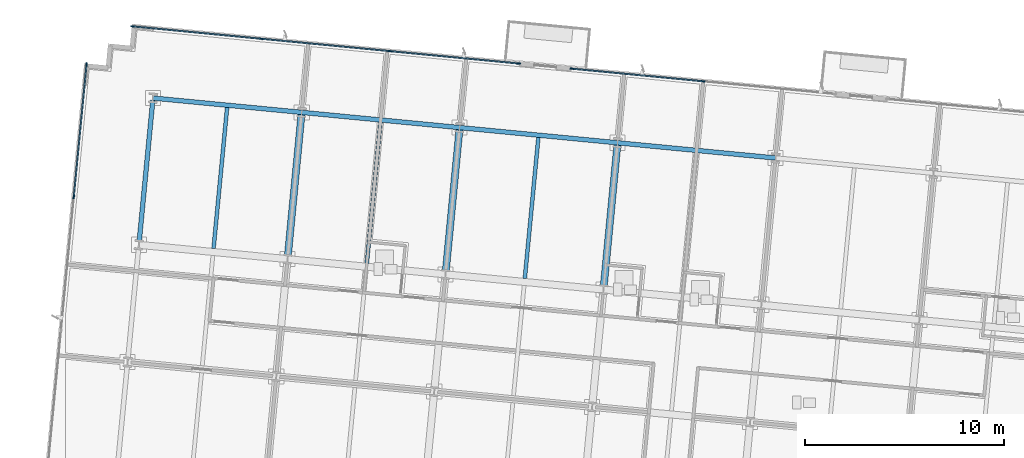
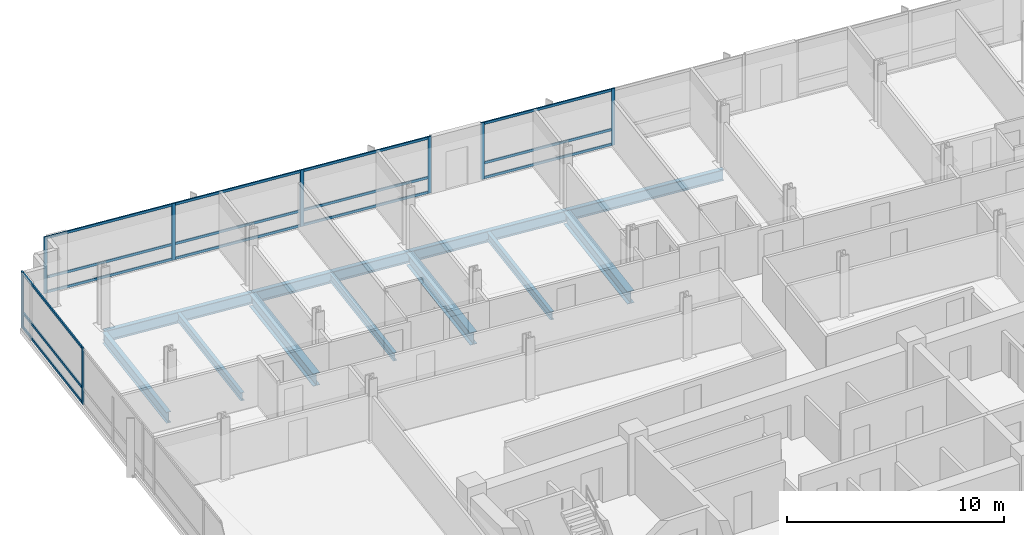
# One storey, part 7 of 17: 23 members, 11 beams, 3 elements without a shape of their own.
"""IFC4 building model written with IfcOpenShell, lengths in metres."""

from ifc_helpers import new_model, si_unit, direction, frame, origin, origin_2d, place, context, subcontext, project, spatial, rectangle, i_section, extrude, material, material_profile, profile_set, type_object, element, aggregate, save


model = new_model("IFC4")

# Units and contexts
model_context = context("Model", 3, precision=1e-05, world=origin(), true_north=direction((0.0, 1.0)))
body_context = subcontext(model_context, "Body", "Model", "MODEL_VIEW")
ifc_project = project(units=[si_unit("LENGTHUNIT", "METRE"), si_unit("AREAUNIT", "SQUARE_METRE"), si_unit("VOLUMEUNIT", "CUBIC_METRE"), si_unit("PLANEANGLEUNIT", "RADIAN"), si_unit("MASSUNIT", "GRAM", prefix="KILO")], contexts=[model_context])

# Site, building, storey
site_placement = place(None, origin())
site = spatial("IfcSite", under=ifc_project, at=site_placement, CompositionType="ELEMENT")
building_placement = place(site_placement, origin())
building = spatial("IfcBuilding", under=site, at=building_placement, Name="Solmavex Isthmus Hotel", CompositionType="ELEMENT")
storey_placement = place(building_placement, frame((0.0, 0.0, 170.39990234375)))
storey = spatial("IfcBuildingStorey", under=building, at=storey_placement, Name="L46", CompositionType="ELEMENT", Elevation=170.39990234375)

# Beams
ifc_material_1 = material(Name="Steel ASTM A992 Grade 50", Category="steel")
ifc_material_profile_1 = material_profile(ifc_material_1, i_section(OverallWidth=0.354736328125, OverallDepth=0.695556640625, WebThickness=0.015380859375, FlangeThickness=0.02490234375, FilletRadius=0.017822265625, at=origin_2d()), Name="W27X146")
ifc_profile_set_1 = profile_set([ifc_material_profile_1], Name="Steel ASTM A992 Grade 50")
beam_type_1 = type_object("IfcBeamType", Name="BM-BG-W27X146", PredefinedType="BEAM", material=ifc_profile_set_1)
beam_1_placement = place(storey_placement, frame((-15.254150390625, 13.07275390625, -0.607666015625), z_axis=(0.095839524498, 0.995396798038, 0.0), x_axis=(-0.995396798038, 0.095839524498, 0.0)))
element("IfcBeam", 1, at=beam_1_placement, inside=storey, type_object=beam_type_1, Name="Floor Beam L46-VG26", PredefinedType="BEAM", context=body_context, shape_type="SweptSolid", body=[
    extrude(i_section(OverallWidth=0.354736328125, OverallDepth=0.695556640625, WebThickness=0.015380859375, FlangeThickness=0.02490234375, FilletRadius=0.017822265625, at=origin_2d()), origin(), (0.0, 0.0, 1.0), 7.099609375),
])
beam_2_placement = place(storey_placement, frame((-7.3349609375, 12.310302734375, -0.607666015625), z_axis=(0.09587687835, 0.9953932008, 0.0), x_axis=(-0.9953932008, 0.09587687835, 0.0)))
element("IfcBeam", 2, at=beam_2_placement, inside=storey, type_object=beam_type_1, Name="Floor Beam L46-VG29", PredefinedType="BEAM", context=body_context, shape_type="SweptSolid", body=[
    extrude(i_section(OverallWidth=0.354736328125, OverallDepth=0.695556640625, WebThickness=0.015380859375, FlangeThickness=0.02490234375, FilletRadius=0.017822265625, at=origin_2d()), origin(), (0.0, 0.0, 1.0), 7.099365234375),
])
beam_3_placement = place(storey_placement, frame((0.58447265625, 11.547607421875, -0.607666015625), z_axis=(0.095839524498, 0.995396798038, 0.0), x_axis=(-0.995396798038, 0.095839524498, 0.0)))
element("IfcBeam", 3, at=beam_3_placement, inside=storey, type_object=beam_type_1, Name="Floor Beam L46-VG32", PredefinedType="BEAM", context=body_context, shape_type="SweptSolid", body=[
    extrude(i_section(OverallWidth=0.354736328125, OverallDepth=0.695556640625, WebThickness=0.015380859375, FlangeThickness=0.02490234375, FilletRadius=0.017822265625, at=origin_2d()), origin(), (0.0, 0.0, 1.0), 7.099609375),
])
ifc_material_profile_2 = material_profile(ifc_material_1, i_section(OverallWidth=0.1904296875, OverallDepth=0.456787109375, WebThickness=0.009033203125, FlangeThickness=0.014404296875, FilletRadius=0.0126953125, at=origin_2d()), Name="W18X50")
ifc_profile_set_2 = profile_set([ifc_material_profile_2], Name="Steel ASTM A992 Grade 50")
beam_type_2 = type_object("IfcBeamType", Name="BM-BJ-W18X50", PredefinedType="JOIST", material=ifc_profile_set_2)
for number, where, z_axis, x_axis, name in (
    (4, (-18.98095703125, 13.431640625, -0.48828125), (0.095842805175, 0.99539648216, 0.0), (-0.99539648216, 0.095842805175, 0.0), "Secondary Floor Joist L46-J03"),
    (5, (-11.29443359375, 12.691650390625, -0.48828125), (0.095842805175, 0.99539648216, 0.0), (-0.99539648216, 0.095842805175, 0.0), "Secondary Floor Joist L46-J06"),
    (6, (-3.375244140625, 11.928955078125, -0.48828125), (0.09587687835, 0.9953932008, 0.0), (-0.9953932008, 0.09587687835, 0.0), "Secondary Floor Joist L46-J09"),
):
    element("IfcBeam", number, at=place(storey_placement, frame(where, z_axis=z_axis, x_axis=x_axis)), inside=storey, type_object=beam_type_2, Name=name, PredefinedType="JOIST", context=body_context, shape_type="SweptSolid", body=[
        extrude(i_section(OverallWidth=0.1904296875, OverallDepth=0.456787109375, WebThickness=0.009033203125, FlangeThickness=0.014404296875, FilletRadius=0.0126953125, at=origin_2d()), origin(), (0.0, 0.0, 1.0), 7.099365234375),
    ])
ifc_material_profile_3 = material_profile(ifc_material_1, i_section(OverallWidth=0.230224609375, OverallDepth=0.617431640625, WebThickness=0.01318359375, FlangeThickness=0.022216796875, FilletRadius=0.01513671875, at=origin_2d()), Name="W24X94")
ifc_profile_set_3 = profile_set([ifc_material_profile_3], Name="Steel ASTM A992 Grade 50")
beam_type_3 = type_object("IfcBeamType", Name="BM-SP-W24X94", PredefinedType="SPANDREL", material=ifc_profile_set_3)
beam_4_placement = place(storey_placement, frame((-22.016357421875, 20.971923828125, -0.568603515625), z_axis=(0.995395279593, -0.095855293875, 0.0), x_axis=(0.095855293875, 0.995395279593, 0.0)))
element("IfcBeam", 7, at=beam_4_placement, inside=storey, type_object=beam_type_3, Name="Floor Girder L46-UG15", PredefinedType="SPANDREL", context=body_context, shape_type="SweptSolid", body=[
    extrude(i_section(OverallWidth=0.230224609375, OverallDepth=0.617431640625, WebThickness=0.01318359375, FlangeThickness=0.022216796875, FilletRadius=0.01513671875, at=origin_2d()), origin(), (0.0, 0.0, 1.0), 7.488037109375),
])
for number, where, z_axis, x_axis, name in (
    (8, (-14.562744140625, 20.254150390625, -0.568603515625), (0.995397440011, -0.095832856685, 0.0), (0.095832856685, 0.995397440011, 0.0), "Floor Girder L46-UG16"),
    (9, (-6.643310546875, 19.49169921875, -0.568603515625), (0.995394512348, -0.095863260885, 0.0), (0.095863260885, 0.995394512348, 0.0), "Floor Girder L46-UG17"),
):
    element("IfcBeam", number, at=place(storey_placement, frame(where, z_axis=z_axis, x_axis=x_axis)), inside=storey, type_object=beam_type_3, Name=name, PredefinedType="SPANDREL", context=body_context, shape_type="SweptSolid", body=[
        extrude(i_section(OverallWidth=0.230224609375, OverallDepth=0.617431640625, WebThickness=0.01318359375, FlangeThickness=0.022216796875, FilletRadius=0.01513671875, at=origin_2d()), origin(), (0.0, 0.0, 1.0), 7.9560546875),
    ])
beam_5_placement = place(storey_placement, frame((1.276123046875, 18.72900390625, -0.568603515625), z_axis=(0.995397158178, -0.095835783981, 0.0), x_axis=(0.095835783981, 0.995397158178, 0.0)))
element("IfcBeam", 10, at=beam_5_placement, inside=storey, type_object=beam_type_3, Name="Floor Girder L46-UG18", PredefinedType="SPANDREL", context=body_context, shape_type="SweptSolid", body=[
    extrude(i_section(OverallWidth=0.230224609375, OverallDepth=0.617431640625, WebThickness=0.01318359375, FlangeThickness=0.022216796875, FilletRadius=0.01513671875, at=origin_2d()), origin(), (0.0, 0.0, 1.0), 7.955810546875),
])
beam_6_placement = place(storey_placement, frame((-22.707763671875, 13.79052734375, -0.568603515625), z_axis=(0.095842805175, 0.99539648216, 0.0), x_axis=(-0.99539648216, 0.095842805175, 0.0)))
element("IfcBeam", 11, at=beam_6_placement, inside=storey, type_object=beam_type_3, Name="Floor Beam L46-VG23", PredefinedType="SPANDREL", context=body_context, shape_type="SweptSolid", body=[
    extrude(i_section(OverallWidth=0.230224609375, OverallDepth=0.617431640625, WebThickness=0.01318359375, FlangeThickness=0.022216796875, FilletRadius=0.01513671875, at=origin_2d()), origin(), (0.0, 0.0, 1.0), 7.099365234375),
])

# Curtain wall, members
ifc_material_2 = material(Name="Aluminium alloy 6063-T6", Category="aluminium")
curtain_wall_type = type_object("IfcCurtainWallType", Name="CW-SYS-03", PredefinedType="NOTDEFINED", material=ifc_material_2)
curtain_wall_1_placement = place(storey_placement, origin())
curtain_wall_1 = element("IfcCurtainWall", 12, at=curtain_wall_1_placement, inside=storey, type_object=curtain_wall_type, Name="Stick Curtain Wall CWL-L46-N1", PredefinedType="NOTDEFINED")
ifc_material_profile_4 = material_profile(ifc_material_2, rectangle(XDim=0.070068359375, YDim=0.179931640625, at=origin_2d()), Name="CWM-70X180")
ifc_profile_set_4 = profile_set([ifc_material_profile_4], Name="Aluminium alloy 6063-T6")
member_type_1 = type_object("IfcMemberType", Name="CW-SYS-03-MUL", PredefinedType="MULLION", material=ifc_profile_set_4)
member_1_placement = place(storey_placement, frame((-23.04150390625, 24.566650390625, 0.0), z_axis=(0.0, 0.0, 1.0), x_axis=(0.095845686434, 0.995396204731, 0.0)))
member_1 = element("IfcMember", 13, at=member_1_placement, type_object=member_type_1, Name="CW-03 mullion 1", PredefinedType="MULLION", context=body_context, shape_type="SweptSolid", body=[
    extrude(rectangle(XDim=0.070068359375, YDim=0.179931640625, at=origin_2d()), origin(), (0.0, 0.0, 1.0), 3.190185546875),
])
member_2_placement = place(storey_placement, frame((-16.598876953125, 23.9462890625, 0.0), z_axis=(0.0, 0.0, 1.0), x_axis=(0.095845686434, 0.995396204731, 0.0)))
member_2 = element("IfcMember", 14, at=member_2_placement, type_object=member_type_1, Name="CW-03 mullion 2", PredefinedType="MULLION", context=body_context, shape_type="SweptSolid", body=[
    extrude(rectangle(XDim=0.070068359375, YDim=0.179931640625, at=origin_2d()), origin(), (0.0, 0.0, 1.0), 3.190185546875),
])
member_3_placement = place(storey_placement, frame((-10.12158203125, 23.32275390625, 0.0), z_axis=(0.0, 0.0, 1.0), x_axis=(0.095845686434, 0.995396204731, 0.0)))
member_3 = element("IfcMember", 15, at=member_3_placement, type_object=member_type_1, Name="CW-03 mullion 3", PredefinedType="MULLION", context=body_context, shape_type="SweptSolid", body=[
    extrude(rectangle(XDim=0.070068359375, YDim=0.179931640625, at=origin_2d()), origin(), (0.0, 0.0, 1.0), 3.190185546875),
])
member_4_placement = place(storey_placement, frame((-3.678955078125, 22.702392578125, 0.0), z_axis=(0.0, 0.0, 1.0), x_axis=(0.095845686434, 0.995396204731, 0.0)))
member_4 = element("IfcMember", 16, at=member_4_placement, type_object=member_type_1, Name="CW-03 mullion 4", PredefinedType="MULLION", context=body_context, shape_type="SweptSolid", body=[
    extrude(rectangle(XDim=0.070068359375, YDim=0.179931640625, at=origin_2d()), origin(), (0.0, 0.0, 1.0), 3.190185546875),
])

curtain_wall_2_placement = place(storey_placement, origin())
curtain_wall_2 = element("IfcCurtainWall", 17, at=curtain_wall_2_placement, inside=storey, type_object=curtain_wall_type, Name="Stick Curtain Wall CWL-L46-N2", PredefinedType="NOTDEFINED")
member_5_placement = place(storey_placement, frame((-1.021240234375, 22.4462890625, 0.0), z_axis=(0.0, 0.0, 1.0), x_axis=(0.095845138178, 0.995396257521, 0.0)))
member_5 = element("IfcMember", 18, at=member_5_placement, type_object=member_type_1, Name="CW-03 mullion 1", PredefinedType="MULLION", context=body_context, shape_type="SweptSolid", body=[
    extrude(rectangle(XDim=0.070068359375, YDim=0.179931640625, at=origin_2d()), origin(), (0.0, 0.0, 1.0), 3.190185546875),
])
member_6_placement = place(storey_placement, frame((5.5693359375, 21.811767578125, 0.0), z_axis=(0.0, 0.0, 1.0), x_axis=(0.095845138178, 0.995396257521, 0.0)))
member_6 = element("IfcMember", 19, at=member_6_placement, type_object=member_type_1, Name="CW-03 mullion 2", PredefinedType="MULLION", context=body_context, shape_type="SweptSolid", body=[
    extrude(rectangle(XDim=0.070068359375, YDim=0.179931640625, at=origin_2d()), origin(), (0.0, 0.0, 1.0), 3.190185546875),
])

curtain_wall_3_placement = place(storey_placement, origin())
curtain_wall_3 = element("IfcCurtainWall", 20, at=curtain_wall_3_placement, inside=storey, type_object=curtain_wall_type, Name="Stick Curtain Wall CWL-L46-W1", PredefinedType="NOTDEFINED")
member_7_placement = place(storey_placement, frame((-25.990234375, 16.010009765625, 0.0), z_axis=(0.0, 0.0, 1.0), x_axis=(-0.995396190038, 0.09584583902, 0.0)))
member_7 = element("IfcMember", 21, at=member_7_placement, type_object=member_type_1, Name="CW-03 mullion 5", PredefinedType="MULLION", context=body_context, shape_type="SweptSolid", body=[
    extrude(rectangle(XDim=0.070068359375, YDim=0.179931640625, at=origin_2d()), origin(), (0.0, 0.0, 1.0), 3.190185546875),
])
member_8_placement = place(storey_placement, frame((-25.349365234375, 22.6640625, 0.0), z_axis=(0.0, 0.0, 1.0), x_axis=(-0.995396190038, 0.09584583902, 0.0)))
member_8 = element("IfcMember", 22, at=member_8_placement, type_object=member_type_1, Name="CW-03 mullion 6", PredefinedType="MULLION", context=body_context, shape_type="SweptSolid", body=[
    extrude(rectangle(XDim=0.070068359375, YDim=0.179931640625, at=origin_2d()), origin(), (0.0, 0.0, 1.0), 3.190185546875),
])

# Member
ifc_material_profile_5 = material_profile(ifc_material_2, rectangle(XDim=0.070068359375, YDim=0.139892578125, at=origin_2d()), Name="CWT-70X140")
ifc_profile_set_5 = profile_set([ifc_material_profile_5], Name="Aluminium alloy 6063-T6")
member_type_2 = type_object("IfcMemberType", Name="CW-SYS-03-TRN", PredefinedType="USERDEFINED", material=ifc_profile_set_5)
member_9_placement = place(storey_placement, frame((-23.006591796875, 24.563232421875, 0.070068359375), z_axis=(0.995397773623, -0.095829391454, 0.0), x_axis=(0.095829391454, 0.995397773623, 0.0)))
member_9 = element("IfcMember", 23, at=member_9_placement, type_object=member_type_2, Name="CW-03 transom 1.1", ObjectType="TRANSOM", PredefinedType="USERDEFINED", context=body_context, shape_type="SweptSolid", body=[
    extrude(rectangle(XDim=0.070068359375, YDim=0.139892578125, at=origin_2d()), origin(), (0.0, 0.0, 1.0), 6.40234375),
])

member_10_placement = place(storey_placement, frame((-23.006591796875, 24.563232421875, 0.900146484375), z_axis=(0.995397773623, -0.095829391454, 0.0), x_axis=(0.095829391454, 0.995397773623, 0.0)))
member_10 = element("IfcMember", 24, at=member_10_placement, type_object=member_type_2, Name="CW-03 transom 1.2", ObjectType="TRANSOM", PredefinedType="USERDEFINED", context=body_context, shape_type="SweptSolid", body=[
    extrude(rectangle(XDim=0.070068359375, YDim=0.139892578125, at=origin_2d()), origin(), (0.0, 0.0, 1.0), 6.40234375),
])

member_11_placement = place(storey_placement, frame((-23.006591796875, 24.563232421875, 3.1201171875), z_axis=(0.995397773623, -0.095829391454, 0.0), x_axis=(0.095829391454, 0.995397773623, 0.0)))
member_11 = element("IfcMember", 25, at=member_11_placement, type_object=member_type_2, Name="CW-03 transom 1.3", ObjectType="TRANSOM", PredefinedType="USERDEFINED", context=body_context, shape_type="SweptSolid", body=[
    extrude(rectangle(XDim=0.070068359375, YDim=0.139892578125, at=origin_2d()), origin(), (0.0, 0.0, 1.0), 6.40234375),
])

member_12_placement = place(storey_placement, frame((-16.56396484375, 23.943115234375, 0.070068359375), z_axis=(0.995393311839, -0.095875725533, 0.0), x_axis=(0.095875725533, 0.995393311839, 0.0)))
member_12 = element("IfcMember", 26, at=member_12_placement, type_object=member_type_2, Name="CW-03 transom 2.1", ObjectType="TRANSOM", PredefinedType="USERDEFINED", context=body_context, shape_type="SweptSolid", body=[
    extrude(rectangle(XDim=0.070068359375, YDim=0.139892578125, at=origin_2d()), origin(), (0.0, 0.0, 1.0), 6.437255859375),
])

member_13_placement = place(storey_placement, frame((-16.56396484375, 23.943115234375, 0.900146484375), z_axis=(0.995393311839, -0.095875725533, 0.0), x_axis=(0.095875725533, 0.995393311839, 0.0)))
member_13 = element("IfcMember", 27, at=member_13_placement, type_object=member_type_2, Name="CW-03 transom 2.2", ObjectType="TRANSOM", PredefinedType="USERDEFINED", context=body_context, shape_type="SweptSolid", body=[
    extrude(rectangle(XDim=0.070068359375, YDim=0.139892578125, at=origin_2d()), origin(), (0.0, 0.0, 1.0), 6.437255859375),
])

member_14_placement = place(storey_placement, frame((-16.56396484375, 23.943115234375, 3.1201171875), z_axis=(0.995393311839, -0.095875725533, 0.0), x_axis=(0.095875725533, 0.995393311839, 0.0)))
member_14 = element("IfcMember", 28, at=member_14_placement, type_object=member_type_2, Name="CW-03 transom 2.3", ObjectType="TRANSOM", PredefinedType="USERDEFINED", context=body_context, shape_type="SweptSolid", body=[
    extrude(rectangle(XDim=0.070068359375, YDim=0.139892578125, at=origin_2d()), origin(), (0.0, 0.0, 1.0), 6.437255859375),
])

member_15_placement = place(storey_placement, frame((-10.086669921875, 23.3193359375, 0.070068359375), z_axis=(0.995394135431, -0.095867174519, 0.0), x_axis=(0.095867174519, 0.995394135431, 0.0)))
member_15 = element("IfcMember", 29, at=member_15_placement, type_object=member_type_2, Name="CW-03 transom 3.1", ObjectType="TRANSOM", PredefinedType="USERDEFINED", context=body_context, shape_type="SweptSolid", body=[
    extrude(rectangle(XDim=0.070068359375, YDim=0.139892578125, at=origin_2d()), origin(), (0.0, 0.0, 1.0), 6.40234375),
])

member_16_placement = place(storey_placement, frame((-10.086669921875, 23.3193359375, 0.900146484375), z_axis=(0.995394135431, -0.095867174519, 0.0), x_axis=(0.095867174519, 0.995394135431, 0.0)))
member_16 = element("IfcMember", 30, at=member_16_placement, type_object=member_type_2, Name="CW-03 transom 3.2", ObjectType="TRANSOM", PredefinedType="USERDEFINED", context=body_context, shape_type="SweptSolid", body=[
    extrude(rectangle(XDim=0.070068359375, YDim=0.139892578125, at=origin_2d()), origin(), (0.0, 0.0, 1.0), 6.40234375),
])

member_17_placement = place(storey_placement, frame((-10.086669921875, 23.3193359375, 3.1201171875), z_axis=(0.995394135431, -0.095867174519, 0.0), x_axis=(0.095867174519, 0.995394135431, 0.0)))
member_17 = element("IfcMember", 31, at=member_17_placement, type_object=member_type_2, Name="CW-03 transom 3.3", ObjectType="TRANSOM", PredefinedType="USERDEFINED", context=body_context, shape_type="SweptSolid", body=[
    extrude(rectangle(XDim=0.070068359375, YDim=0.139892578125, at=origin_2d()), origin(), (0.0, 0.0, 1.0), 6.40234375),
])

aggregate(curtain_wall_1, [member_1, member_2, member_3, member_4, member_9, member_10, member_11, member_12, member_13, member_14, member_15, member_16, member_17])

member_18_placement = place(storey_placement, frame((-0.986328125, 22.443115234375, 0.070068359375), z_axis=(0.995395431006, -0.095853721538, 0.0), x_axis=(0.095853721538, 0.995395431006, 0.0)))
member_18 = element("IfcMember", 32, at=member_18_placement, type_object=member_type_2, Name="CW-03 transom 1.1", ObjectType="TRANSOM", PredefinedType="USERDEFINED", context=body_context, shape_type="SweptSolid", body=[
    extrude(rectangle(XDim=0.070068359375, YDim=0.139892578125, at=origin_2d()), origin(), (0.0, 0.0, 1.0), 6.551025390625),
])

member_19_placement = place(storey_placement, frame((-0.986328125, 22.443115234375, 0.900146484375), z_axis=(0.995395431006, -0.095853721538, 0.0), x_axis=(0.095853721538, 0.995395431006, 0.0)))
member_19 = element("IfcMember", 33, at=member_19_placement, type_object=member_type_2, Name="CW-03 transom 1.2", ObjectType="TRANSOM", PredefinedType="USERDEFINED", context=body_context, shape_type="SweptSolid", body=[
    extrude(rectangle(XDim=0.070068359375, YDim=0.139892578125, at=origin_2d()), origin(), (0.0, 0.0, 1.0), 6.551025390625),
])

member_20_placement = place(storey_placement, frame((-0.986328125, 22.443115234375, 3.1201171875), z_axis=(0.995395431006, -0.095853721538, 0.0), x_axis=(0.095853721538, 0.995395431006, 0.0)))
member_20 = element("IfcMember", 34, at=member_20_placement, type_object=member_type_2, Name="CW-03 transom 1.3", ObjectType="TRANSOM", PredefinedType="USERDEFINED", context=body_context, shape_type="SweptSolid", body=[
    extrude(rectangle(XDim=0.070068359375, YDim=0.139892578125, at=origin_2d()), origin(), (0.0, 0.0, 1.0), 6.551025390625),
])

aggregate(curtain_wall_2, [member_5, member_6, member_18, member_19, member_20])

member_21_placement = place(storey_placement, frame((-25.98681640625, 16.044677734375, 0.070068359375), z_axis=(0.095845316679, 0.995396240334, 0.0), x_axis=(-0.995396240334, 0.095845316679, 0.0)))
member_21 = element("IfcMember", 35, at=member_21_placement, type_object=member_type_2, Name="CW-03 transom 5.1", ObjectType="TRANSOM", PredefinedType="USERDEFINED", context=body_context, shape_type="SweptSolid", body=[
    extrude(rectangle(XDim=0.070068359375, YDim=0.139892578125, at=origin_2d()), origin(), (0.0, 0.0, 1.0), 6.615234375),
])

member_22_placement = place(storey_placement, frame((-25.98681640625, 16.044677734375, 0.900146484375), z_axis=(0.095845316679, 0.995396240334, 0.0), x_axis=(-0.995396240334, 0.095845316679, 0.0)))
member_22 = element("IfcMember", 36, at=member_22_placement, type_object=member_type_2, Name="CW-03 transom 5.2", ObjectType="TRANSOM", PredefinedType="USERDEFINED", context=body_context, shape_type="SweptSolid", body=[
    extrude(rectangle(XDim=0.070068359375, YDim=0.139892578125, at=origin_2d()), origin(), (0.0, 0.0, 1.0), 6.615234375),
])

member_23_placement = place(storey_placement, frame((-25.98681640625, 16.044677734375, 3.1201171875), z_axis=(0.095845316679, 0.995396240334, 0.0), x_axis=(-0.995396240334, 0.095845316679, 0.0)))
member_23 = element("IfcMember", 37, at=member_23_placement, type_object=member_type_2, Name="CW-03 transom 5.3", ObjectType="TRANSOM", PredefinedType="USERDEFINED", context=body_context, shape_type="SweptSolid", body=[
    extrude(rectangle(XDim=0.070068359375, YDim=0.139892578125, at=origin_2d()), origin(), (0.0, 0.0, 1.0), 6.615234375),
])

aggregate(curtain_wall_3, [member_7, member_8, member_21, member_22, member_23])

save(model, "model.ifc")
